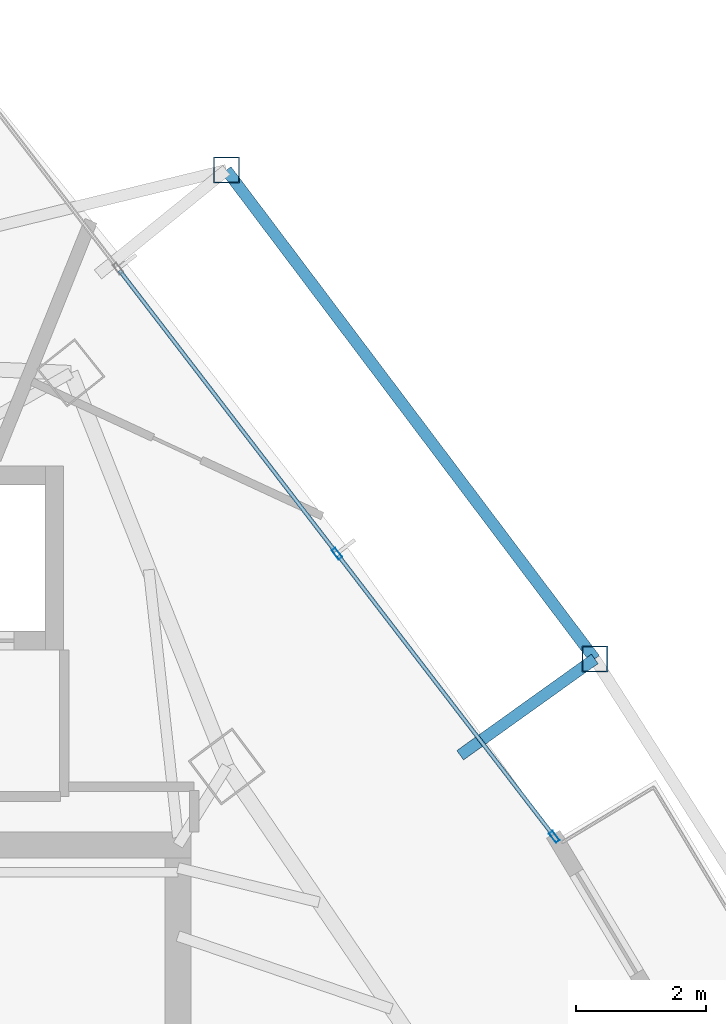
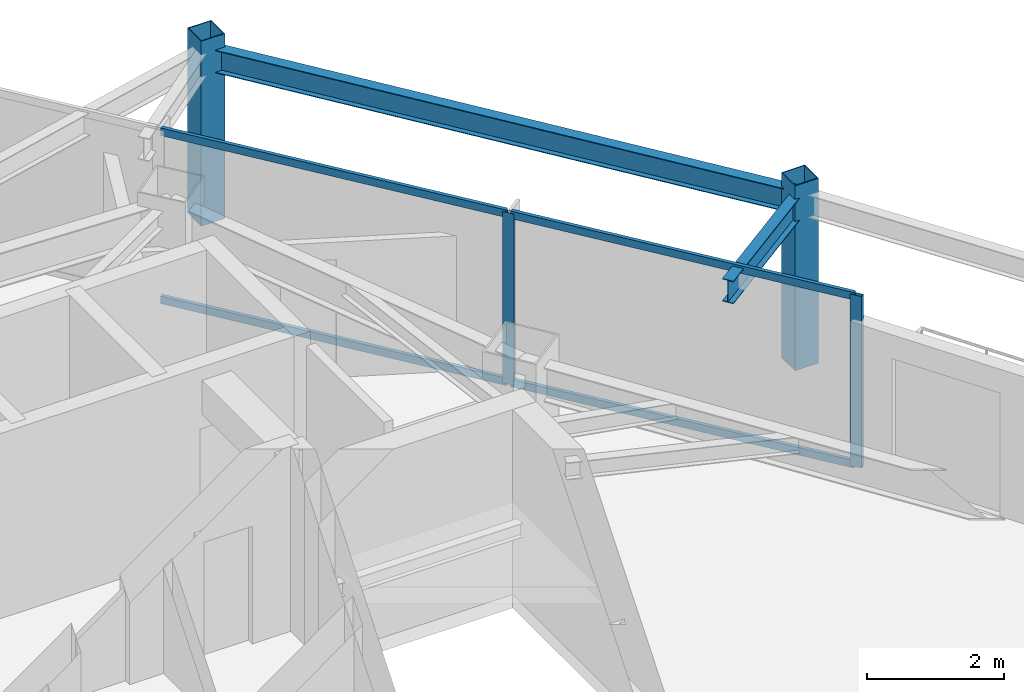
# One storey, part 25 of 31: 8 members, 2 beams, 1 element without a shape of its own.
"""IFC4 building model written with IfcOpenShell, lengths in metres."""

from ifc_helpers import new_model, si_unit, direction, frame, origin, origin_2d, place, context, subcontext, project, spatial, hollow_rectangle, i_section, extrude, material, layer, layer_set, material_profile, profile_set, type_object, element, aggregate, save


model = new_model("IFC4")

# Units and contexts
model_context = context("Model", 3, precision=1e-05, world=origin(), true_north=direction((0.0, 1.0)))
body_context = subcontext(model_context, "Body", "Model", "MODEL_VIEW")
ifc_project = project(units=[si_unit("LENGTHUNIT", "METRE"), si_unit("AREAUNIT", "SQUARE_METRE"), si_unit("VOLUMEUNIT", "CUBIC_METRE"), si_unit("PLANEANGLEUNIT", "RADIAN"), si_unit("MASSUNIT", "GRAM", prefix="KILO")], contexts=[model_context])

# Site, building, storey
site_placement = place(None, origin())
site = spatial("IfcSite", under=ifc_project, at=site_placement, CompositionType="ELEMENT")
building_placement = place(site_placement, origin())
building = spatial("IfcBuilding", under=site, at=building_placement, Name="Orvanel Arch Residences", CompositionType="ELEMENT")
storey_placement = place(building_placement, frame((0.0, 0.0, 153.949951171875)))
storey = spatial("IfcBuildingStorey", under=building, at=storey_placement, Name="L43", CompositionType="ELEMENT", Elevation=153.949951171875)

# Curtain wall, members
ifc_material_1 = material(Name="Bronze-anodised aluminium AA6063-T6", Category="aluminium")
ifc_layer = layer(ifc_material_1, 0.179931640625)
ifc_layer_set = layer_set([ifc_layer], Name="Bronze-anodised aluminium AA6063-T6")
curtain_wall_type = type_object("IfcCurtainWallType", Name="CW3-MID-SYS", PredefinedType="NOTDEFINED", material=ifc_layer_set)
curtain_wall_placement = place(storey_placement, origin())
curtain_wall = element("IfcCurtainWall", 1, at=curtain_wall_placement, inside=storey, type_object=curtain_wall_type, Name="L43 CW3-MID-SYS Unitised Curtain Wall", PredefinedType="NOTDEFINED")
ifc_material_profile_1 = material_profile(ifc_material_1, hollow_rectangle(XDim=0.070068359375, YDim=0.179931640625, WallThickness=0.00439453125, at=origin_2d()), Name="ALU180x70x4.5")
ifc_profile_set_1 = profile_set([ifc_material_profile_1], Name="Bronze-anodised aluminium AA6063-T6")
member_type_1 = type_object("IfcMemberType", Name="MUL-180x70", PredefinedType="MULLION", material=ifc_profile_set_1)
member_1_placement = place(storey_placement, frame((45.399658203125, 34.02880859375, 0.0), z_axis=(0.0, 0.0, 1.0), x_axis=(-0.793223434489, -0.608930688155, 0.0)))
member_1 = element("IfcMember", 2, at=member_1_placement, type_object=member_type_1, Name="CW-S3 mullion 1", PredefinedType="MULLION", context=body_context, shape_type="SweptSolid", body=[
    extrude(hollow_rectangle(XDim=0.070068359375, YDim=0.179931640625, WallThickness=0.00439453125, at=origin_2d()), origin(), (0.0, 0.0, 1.0), 3.06005859375),
])
member_2_placement = place(storey_placement, frame((42.049560546875, 38.392578125, 0.0), z_axis=(0.0, 0.0, 1.0), x_axis=(-0.793223434489, -0.608930688155, 0.0)))
member_2 = element("IfcMember", 3, at=member_2_placement, type_object=member_type_1, Name="CW-S3 mullion 2", PredefinedType="MULLION", context=body_context, shape_type="SweptSolid", body=[
    extrude(hollow_rectangle(XDim=0.070068359375, YDim=0.179931640625, WallThickness=0.00439453125, at=origin_2d()), origin(), (0.0, 0.0, 1.0), 3.06005859375),
])

# Beams
ifc_material_2 = material(Name="Structural steel AS/NZS 3679.1 Grade 300 (300 MPa)", Category="steel")
ifc_material_profile_2 = material_profile(ifc_material_2, i_section(OverallWidth=0.177978515625, OverallDepth=0.406005859375, WebThickness=0.0078125, FlangeThickness=0.0126953125, at=origin_2d()), Name="410UB59.7")
ifc_profile_set_2 = profile_set([ifc_material_profile_2], Name="Structural steel AS/NZS 3679.1 Grade 300 (300 MPa)")
beam_type = type_object("IfcBeamType", Name="OB-410UB-EXT", PredefinedType="SPANDREL", material=ifc_profile_set_2)
beam_1_placement = place(storey_placement, frame((43.948974609375, 35.285888671875, 2.85693359375), z_axis=(0.813228640258, 0.581944308903, 0.0), x_axis=(-0.581944308903, 0.813228640258, 0.0)))
element("IfcBeam", 4, at=beam_1_placement, inside=storey, type_object=beam_type, Name="L43 Outer Frame Radial Tie Beam 11", PredefinedType="SPANDREL", context=body_context, shape_type="SweptSolid", body=[
    extrude(i_section(OverallWidth=0.177978515625, OverallDepth=0.406005859375, WebThickness=0.0078125, FlangeThickness=0.0126953125, at=origin_2d()), origin(), (0.0, 0.0, 1.0), 2.55029296875),
])
beam_2_placement = place(storey_placement, frame((46.02294921875, 36.77001953125, 2.85693359375), z_axis=(-0.601833250966, 0.798621774078, 0.0), x_axis=(-0.798621774078, -0.601833250966, 0.0)))
element("IfcBeam", 5, at=beam_2_placement, inside=storey, type_object=beam_type, Name="L43 Outer Perimeter Floor Ring Beam 11", PredefinedType="SPANDREL", context=body_context, shape_type="SweptSolid", body=[
    extrude(i_section(OverallWidth=0.177978515625, OverallDepth=0.406005859375, WebThickness=0.0078125, FlangeThickness=0.0126953125, at=origin_2d()), origin(), (0.0, 0.0, 1.0), 9.43115234375),
])

# Members
ifc_material_3 = material(Name="Structural steel AS/NZS 1163 C450L0 (Grade 450)", Category="steel")
ifc_material_profile_3 = material_profile(ifc_material_3, hollow_rectangle(XDim=0.39990234375, YDim=0.39990234375, WallThickness=0.01611328125, at=origin_2d()), Name="SHS400x400x16")
ifc_profile_set_3 = profile_set([ifc_material_profile_3], Name="Structural steel AS/NZS 1163 C450L0 (Grade 450)")
member_type_2 = type_object("IfcMemberType", Name="ST-400SHS-EXT", PredefinedType="STRUT", material=ifc_profile_set_3)
for number, where, z_axis, x_axis, name in (
    (6, (46.02294921875, 36.77001953125, 0.0), (0.0, 0.0, 1.0), (1.0, 0.0, 0.0), "L43 Outer Perimeter Frame Post 11"),
    (7, (40.346923828125, 44.302001953125, 0.0), (0.0, 0.0, 1.0), (1.0, 0.0, 0.0), "L43 Outer Perimeter Frame Post 12"),
):
    element("IfcMember", number, at=place(storey_placement, frame(where, z_axis=z_axis, x_axis=x_axis)), inside=storey, type_object=member_type_2, Name=name, PredefinedType="STRUT", context=body_context, shape_type="SweptSolid", body=[
        extrude(hollow_rectangle(XDim=0.39990234375, YDim=0.39990234375, WallThickness=0.01611328125, at=origin_2d()), origin(), (0.0, 0.0, 1.0), 3.300048828125),
    ])

# Member
ifc_material_profile_4 = material_profile(ifc_material_1, hollow_rectangle(XDim=0.06005859375, YDim=0.135009765625, WallThickness=0.00390625, at=origin_2d()), Name="ALU135x60x4")
ifc_profile_set_4 = profile_set([ifc_material_profile_4], Name="Bronze-anodised aluminium AA6063-T6")
member_type_3 = type_object("IfcMemberType", Name="TRN-135x60", PredefinedType="USERDEFINED", material=ifc_profile_set_4)
member_3_placement = place(storey_placement, frame((45.37841796875, 34.056640625, 0.030029296875), z_axis=(-0.608930617314, 0.793223488871, 0.0), x_axis=(-0.793223488871, -0.608930617314, 0.0)))
member_3 = element("IfcMember", 8, at=member_3_placement, type_object=member_type_3, Name="CW-S3 transom 1.1", ObjectType="TRANSOM", PredefinedType="USERDEFINED", context=body_context, shape_type="SweptSolid", body=[
    extrude(hollow_rectangle(XDim=0.06005859375, YDim=0.135009765625, WallThickness=0.00390625, at=origin_2d()), origin(), (0.0, 0.0, 1.0), 5.431396484375),
])

member_4_placement = place(storey_placement, frame((45.37841796875, 34.056640625, 3.030029296875), z_axis=(-0.608930617314, 0.793223488871, 0.0), x_axis=(-0.793223488871, -0.608930617314, 0.0)))
member_4 = element("IfcMember", 9, at=member_4_placement, type_object=member_type_3, Name="CW-S3 transom 1.2", ObjectType="TRANSOM", PredefinedType="USERDEFINED", context=body_context, shape_type="SweptSolid", body=[
    extrude(hollow_rectangle(XDim=0.06005859375, YDim=0.135009765625, WallThickness=0.00390625, at=origin_2d()), origin(), (0.0, 0.0, 1.0), 5.431396484375),
])

member_5_placement = place(storey_placement, frame((42.0283203125, 38.42041015625, 0.030029296875), z_axis=(-0.608916175661, 0.793234575027, 0.0), x_axis=(-0.793234575027, -0.608916175661, 0.0)))
member_5 = element("IfcMember", 10, at=member_5_placement, type_object=member_type_3, Name="CW-S3 transom 2.1", ObjectType="TRANSOM", PredefinedType="USERDEFINED", context=body_context, shape_type="SweptSolid", body=[
    extrude(hollow_rectangle(XDim=0.06005859375, YDim=0.135009765625, WallThickness=0.00390625, at=origin_2d()), origin(), (0.0, 0.0, 1.0), 5.466552734375),
])

member_6_placement = place(storey_placement, frame((42.0283203125, 38.42041015625, 3.030029296875), z_axis=(-0.608916175661, 0.793234575027, 0.0), x_axis=(-0.793234575027, -0.608916175661, 0.0)))
member_6 = element("IfcMember", 11, at=member_6_placement, type_object=member_type_3, Name="CW-S3 transom 2.2", ObjectType="TRANSOM", PredefinedType="USERDEFINED", context=body_context, shape_type="SweptSolid", body=[
    extrude(hollow_rectangle(XDim=0.06005859375, YDim=0.135009765625, WallThickness=0.00390625, at=origin_2d()), origin(), (0.0, 0.0, 1.0), 5.466552734375),
])

aggregate(curtain_wall, [member_1, member_2, member_3, member_4, member_5, member_6])

save(model, "model.ifc")
